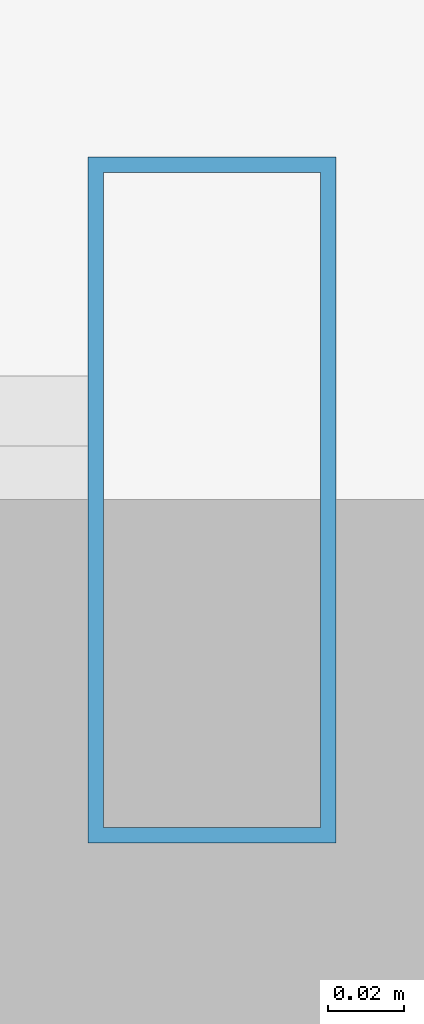
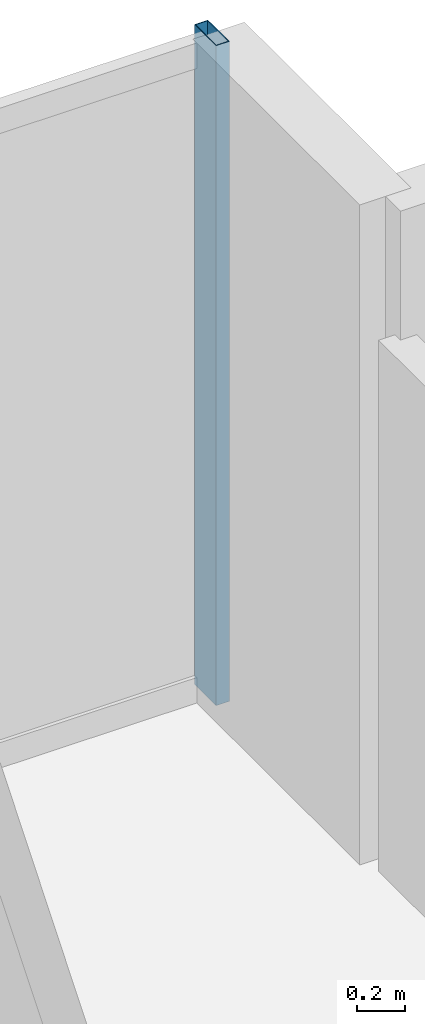
# One storey, part 26 of 35: 1 member, 1 element without a shape of its own.
"""IFC4 building model written with IfcOpenShell, lengths in metres."""

from ifc_helpers import new_model, si_unit, direction, frame, origin, origin_2d, place, context, subcontext, project, spatial, hollow_rectangle, extrude, source, transform, mapped, material, material_profile, profile_set, type_object, element, aggregate, save


model = new_model("IFC4")

# Units and contexts
model_context = context("Model", 3, precision=1e-05, world=origin(), true_north=direction((0.0, 1.0)))
body_context = subcontext(model_context, "Body", "Model", "MODEL_VIEW")
ifc_project = project(units=[si_unit("LENGTHUNIT", "METRE"), si_unit("AREAUNIT", "SQUARE_METRE"), si_unit("VOLUMEUNIT", "CUBIC_METRE"), si_unit("PLANEANGLEUNIT", "RADIAN"), si_unit("MASSUNIT", "GRAM", prefix="KILO")], contexts=[model_context])

# Site, building, storey
site_placement = place(None, origin())
site = spatial("IfcSite", under=ifc_project, at=site_placement, CompositionType="ELEMENT")
building_placement = place(site_placement, origin())
building = spatial("IfcBuilding", under=site, at=building_placement, Name="Nahalor Promenade Grand Hotel", CompositionType="ELEMENT")
storey_placement = place(building_placement, frame((0.0, 0.0, 121.14990234375)))
storey = spatial("IfcBuildingStorey", under=building, at=storey_placement, Name="L30", CompositionType="ELEMENT", Elevation=121.14990234375)

# Curtain wall, member
ifc_material = material(Name="Anodised Bronze Aluminium EN AW-6063 T6", Category="aluminium")
curtain_wall_type = type_object("IfcCurtainWallType", Name="CW2 Typical Hotel Flush Bronze Unitised Curtain Wall", PredefinedType="USERDEFINED", material=ifc_material)
curtain_wall_placement = place(storey_placement, origin())
curtain_wall = element("IfcCurtainWall", 1, at=curtain_wall_placement, inside=storey, type_object=curtain_wall_type, Name="L30 Curtain Wall CW-L30-N-3", ObjectType="UNITISED_CURTAIN_WALL", PredefinedType="USERDEFINED")
ifc_material_profile = material_profile(ifc_material, hollow_rectangle(XDim=0.065, YDim=0.18, WallThickness=0.004, at=origin_2d()), Name="CWM 65x180x4")
ifc_profile_set = profile_set([ifc_material_profile], Name="Anodised Bronze Aluminium EN AW-6063 T6")
member_type = type_object("IfcMemberType", Name="CWM2 Typical Bronze Mullion 65x180", PredefinedType="MULLION", material=ifc_profile_set)
shared_shape = source(origin(), body_context, "Body", "SweptSolid", [
    extrude(hollow_rectangle(XDim=0.065, YDim=0.18, WallThickness=0.004, at=origin_2d()), origin(), (0.0, 0.0, 1.0), 3.380126953125),
])
member_placement = place(storey_placement, frame((21.027587890625, 23.860107421875, 0.0), z_axis=(0.0, 0.0, 1.0), x_axis=(1.0, 0.0, 0.0)))
member = element("IfcMember", 2, at=member_placement, type_object=member_type, Name="CW-L30-N-3 Mullion 3", PredefinedType="MULLION", context=body_context, shape_type="MappedRepresentation", body=[
    mapped(shared_shape, transform((0.0, 0.0, 0.0), scale=1.0)),
])
aggregate(curtain_wall, [member])

save(model, "model.ifc")
